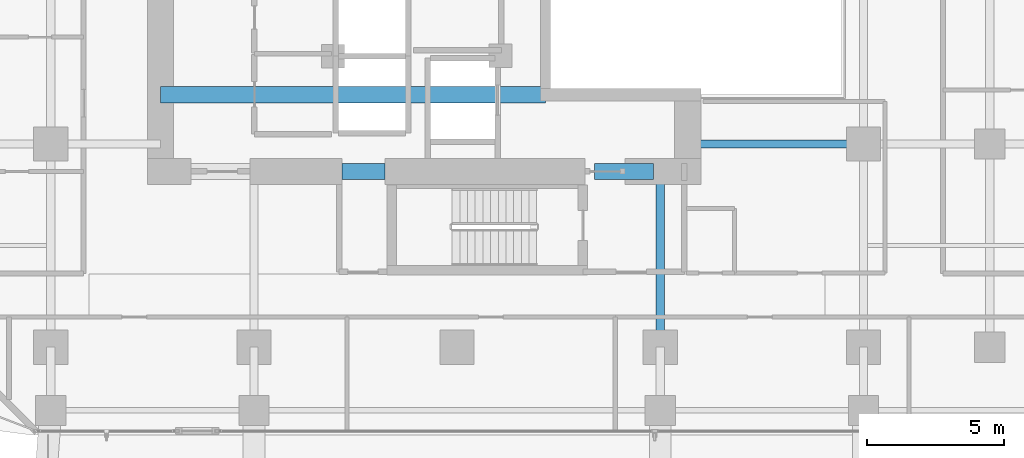
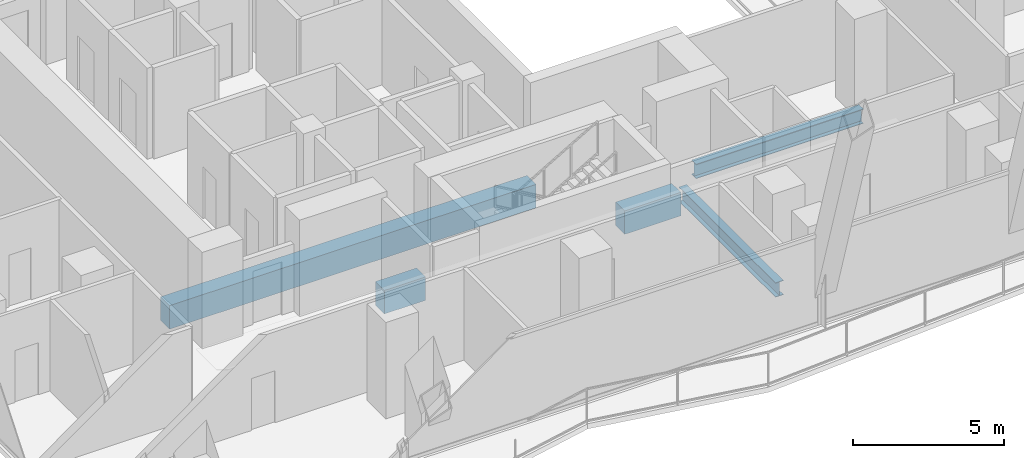
# One storey, part 5 of 30: 5 beams.
"""IFC4 building model written with IfcOpenShell, lengths in metres."""

from ifc_helpers import new_model, si_unit, direction, frame, origin, origin_2d, place, context, subcontext, project, spatial, rectangle, i_section, extrude, material, material_profile, profile_set, type_object, element, save


model = new_model("IFC4")

# Units and contexts
model_context = context("Model", 3, precision=1e-05, world=origin(), true_north=direction((0.0, 1.0)))
body_context = subcontext(model_context, "Body", "Model", "MODEL_VIEW")
ifc_project = project(units=[si_unit("LENGTHUNIT", "METRE"), si_unit("AREAUNIT", "SQUARE_METRE"), si_unit("VOLUMEUNIT", "CUBIC_METRE"), si_unit("PLANEANGLEUNIT", "RADIAN"), si_unit("MASSUNIT", "GRAM", prefix="KILO")], contexts=[model_context])

# Site, building, storey
site_placement = place(None, origin())
site = spatial("IfcSite", under=ifc_project, at=site_placement, CompositionType="ELEMENT")
building_placement = place(site_placement, origin())
building = spatial("IfcBuilding", under=site, at=building_placement, Name="Khorvyn Point Tower", CompositionType="ELEMENT")
storey_placement = place(building_placement, frame((0.0, 0.0, 117.300048828125)))
storey = spatial("IfcBuildingStorey", under=building, at=storey_placement, Name="L29", CompositionType="ELEMENT", Elevation=117.300048828125)

# Beams
ifc_material_1 = material(Name="Concrete C50/60", Category="concrete")
ifc_material_profile_1 = material_profile(ifc_material_1, rectangle(XDim=0.60009765625, YDim=0.949951171875, at=origin_2d()))
ifc_profile_set_1 = profile_set([ifc_material_profile_1], Name="Concrete C50/60 RC600x950")
beam_type_1 = type_object("IfcBeamType", Name="Concrete C50/60 Beam RC600x950", PredefinedType="BEAM", material=ifc_profile_set_1)
beam_1_placement = place(storey_placement, frame((-10.800048828125, -5.60009765625, -0.695068359375), z_axis=(1.0, 0.0, 0.0), x_axis=(0.0, 1.0, 0.0)))
element("IfcBeam", 1, at=beam_1_placement, inside=storey, type_object=beam_type_1, Name="L29 Core Internal Tie Girder S", PredefinedType="BEAM", context=body_context, shape_type="SweptSolid", body=[
    extrude(rectangle(XDim=0.60009765625, YDim=0.949951171875, at=origin_2d()), origin(), (0.0, 0.0, 1.0), 14.02001953125),
])
beam_2_placement = place(storey_placement, frame((-4.199951171875, -8.39990234375, -0.695068359375), z_axis=(1.0, 0.0, 0.0), x_axis=(0.0, 1.0, 0.0)))
element("IfcBeam", 2, at=beam_2_placement, inside=storey, type_object=beam_type_1, Name="L29 Core Shuttle Portal Coupling Beam", PredefinedType="BEAM", context=body_context, shape_type="SweptSolid", body=[
    extrude(rectangle(XDim=0.60009765625, YDim=0.949951171875, at=origin_2d()), origin(), (0.0, 0.0, 1.0), 1.579833984375),
])
beam_3_placement = place(storey_placement, frame((5.0, -8.39990234375, -0.695068359375), z_axis=(1.0, 0.0, 0.0), x_axis=(0.0, 1.0, 0.0)))
element("IfcBeam", 3, at=beam_3_placement, inside=storey, type_object=beam_type_1, Name="L29 Core Southeast Portal Coupling Beam", PredefinedType="BEAM", context=body_context, shape_type="SweptSolid", body=[
    extrude(rectangle(XDim=0.60009765625, YDim=0.949951171875, at=origin_2d()), origin(), (0.0, 0.0, 1.0), 2.14990234375),
])
ifc_material_2 = material(Name="Steel S355", Category="steel")
ifc_material_profile_2 = material_profile(ifc_material_2, i_section(OverallWidth=0.300048828125, OverallDepth=0.587890625, WebThickness=0.011962890625, FlangeThickness=0.02001953125, at=origin_2d()))
ifc_profile_set_2 = profile_set([ifc_material_profile_2], Name="Steel S355 H588x300x12x20")
beam_type_2 = type_object("IfcBeamType", Name="Steel S355 Beam H588x300x12x20", PredefinedType="BEAM", material=ifc_profile_set_2)
for number, where, z_axis, x_axis, name in (
    (4, (8.39990234375, -7.39990234375, -0.51416015625), (1.0, 0.0, 0.0), (0.0, 1.0, 0.0), "Beam"),
    (5, (7.39990234375, -14.800048828125, -0.51416015625), (0.0, 1.0, 0.0), (-1.0, 0.0, 0.0), "Beam"),
):
    element("IfcBeam", number, at=place(storey_placement, frame(where, z_axis=z_axis, x_axis=x_axis)), inside=storey, type_object=beam_type_2, Name=name, PredefinedType="BEAM", context=body_context, shape_type="SweptSolid", body=[
        extrude(i_section(OverallWidth=0.300048828125, OverallDepth=0.587890625, WebThickness=0.011962890625, FlangeThickness=0.02001953125, at=origin_2d()), origin(), (0.0, 0.0, 1.0), 6.400146484375),
    ])

save(model, "model.ifc")
